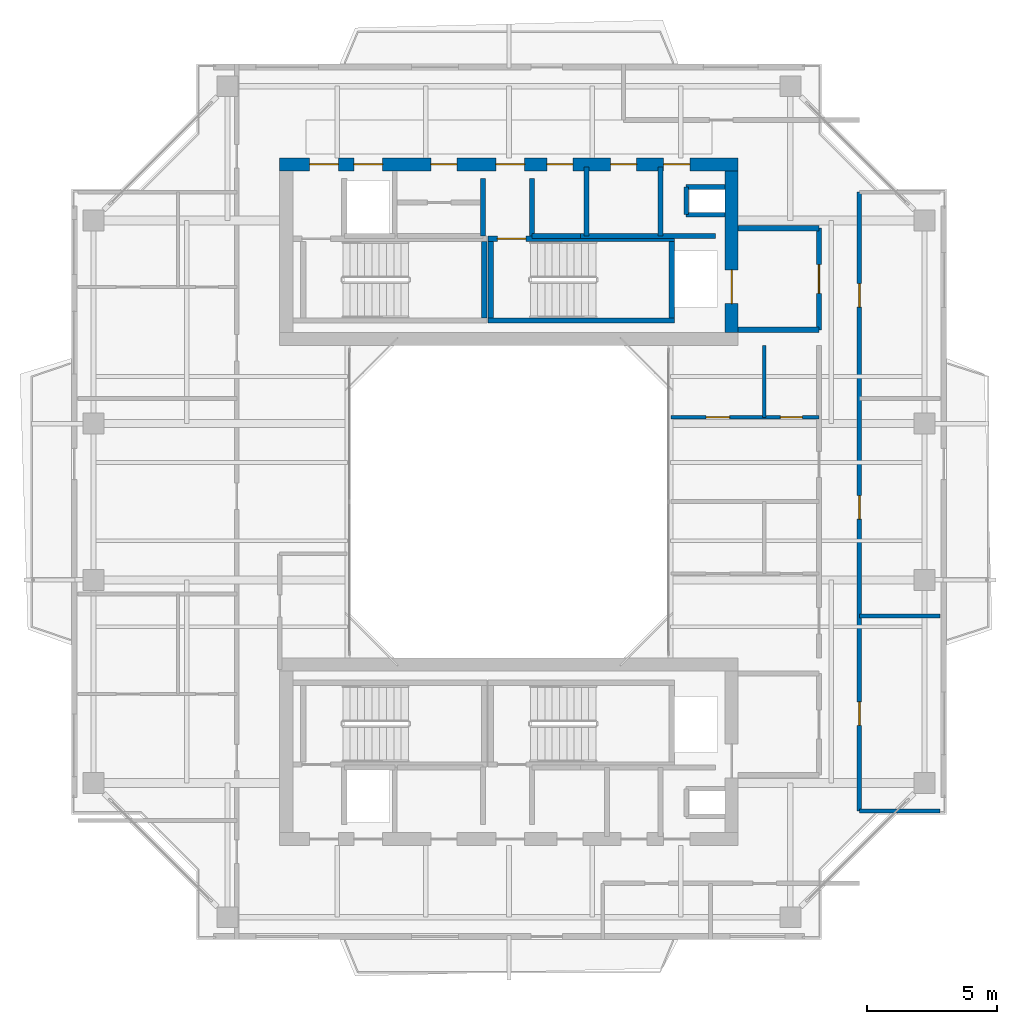
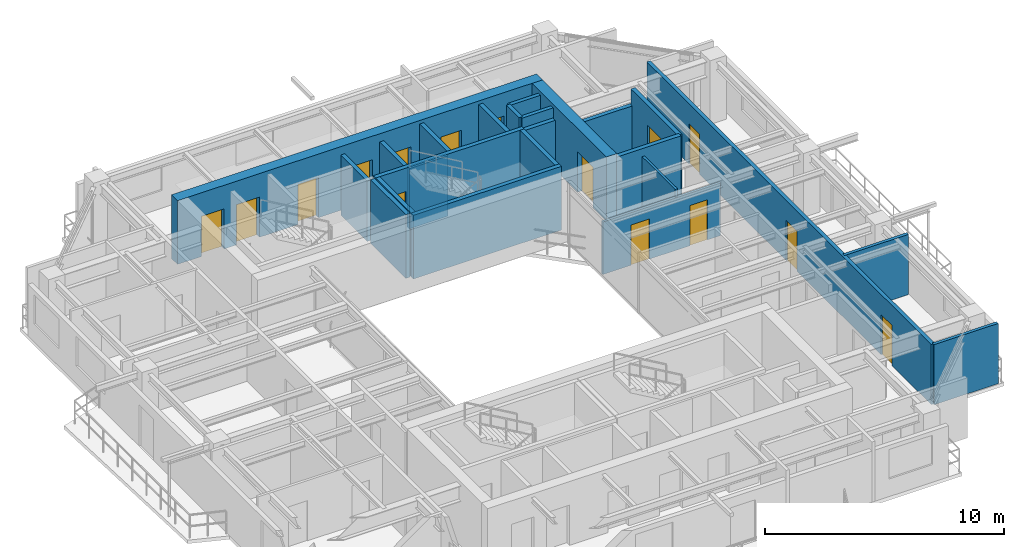
# One storey, part 12 of 15: 24 walls, 15 doors, 15 openings.
"""IFC4 building model written with IfcOpenShell, lengths in metres."""

import ifcopenshell
import ifcopenshell.guid

model = None  # the IFC model being written
_history = None  # IfcOwnerHistory: only IFC2X3 demands one
_inside = {}  # id of a spatial element -> (the spatial element, [elements in it])
_under = {}  # id of a project, library or spatial element -> (it, [spatial elements below it])
_declared = {}  # id of a project -> (the project, [libraries it declares])
_typed = {}  # id of a type object -> (the type object, [elements of that type])
_made_of = {}  # id of a material, layer set ... -> (it, [elements and type objects made of it])


def new_model(schema):
    """Start an empty IFC model of exactly this schema.

    Asked for "IFC4X3", IfcOpenShell would pick the latest addendum, in which some entities
    have other attributes; the version numbers below select the first issue.
    IFC2X3 requires an IfcOwnerHistory on every rooted entity: one is made here for all.
    """
    global model, _history
    if schema == "IFC4X3":
        model = ifcopenshell.file(schema_version=(4, 3, 0, 0))
    else:
        model = ifcopenshell.file(schema=schema)
    _inside.clear()
    _under.clear()
    _declared.clear()
    _typed.clear()
    _made_of.clear()
    _history = None
    if model.schema == "IFC2X3":
        org = make("IfcOrganization", Name="unknown")
        user = make(
            "IfcPersonAndOrganization",
            ThePerson=make("IfcPerson", FamilyName="unknown"),
            TheOrganization=org,
        )
        app = make(
            "IfcApplication",
            ApplicationDeveloper=org,
            Version="unknown",
            ApplicationFullName="unknown",
            ApplicationIdentifier="unknown",
        )
        _history = make(
            "IfcOwnerHistory",
            OwningUser=user,
            OwningApplication=app,
            ChangeAction="ADDED",
            CreationDate=0,
        )
    return model


def make(cls, **values):
    """One entity of the class cls with the attributes given. An attribute that is None is left unset."""
    return model.create_entity(
        cls, **{name: value for name, value in values.items() if value is not None}
    )


def rooted(cls, **values):
    """An entity with a GlobalId (a new one), such as an element, a storey or a relation."""
    return make(cls, GlobalId=ifcopenshell.guid.new(), OwnerHistory=_history, **values)


def si_unit(unit_type, name, prefix=None):
    """IfcSIUnit, for example si_unit("LENGTHUNIT", "METRE", prefix="MILLI")."""
    return make("IfcSIUnit", UnitType=unit_type, Prefix=prefix, Name=name)


def assignment(units):
    """IfcUnitAssignment: the units of a project."""
    return None if units is None else make("IfcUnitAssignment", Units=units)


def point(xyz):
    """IfcCartesianPoint."""
    return None if xyz is None else make("IfcCartesianPoint", Coordinates=xyz)


def direction(xyz):
    """IfcDirection."""
    return None if xyz is None else make("IfcDirection", DirectionRatios=xyz)


def frame(location, z_axis=None, x_axis=None):
    """IfcAxis2Placement3D, a coordinate frame: its origin and axes. An axis left out is left unset."""
    return make(
        "IfcAxis2Placement3D",
        Location=point(location),
        Axis=direction(z_axis),
        RefDirection=direction(x_axis),
    )


def frame_2d(location, x_axis=None):
    """IfcAxis2Placement2D, a coordinate frame in the plane: its origin and x axis."""
    return make(
        "IfcAxis2Placement2D", Location=point(location), RefDirection=direction(x_axis)
    )


def origin():
    """The frame at (0, 0, 0) with its axes left unset."""
    return frame((0.0, 0.0, 0.0))


def place(relative_to, where):
    """IfcLocalPlacement: puts the frame where relative to a parent placement (None: the world)."""
    return make(
        "IfcLocalPlacement", PlacementRelTo=relative_to, RelativePlacement=where
    )


def context(
    kind, dimensions, precision=None, world=None, true_north=None, identifier=None
):
    """IfcGeometricRepresentationContext, for example the 3D "Model" context."""
    return make(
        "IfcGeometricRepresentationContext",
        ContextIdentifier=identifier,
        ContextType=kind,
        CoordinateSpaceDimension=dimensions,
        Precision=precision,
        WorldCoordinateSystem=world,
        TrueNorth=true_north,
    )


def subcontext(parent, identifier, kind, view, scale=None):
    """IfcGeometricRepresentationSubContext, for example "Body" below "Model"."""
    return make(
        "IfcGeometricRepresentationSubContext",
        ContextIdentifier=identifier,
        ContextType=kind,
        ParentContext=parent,
        TargetScale=scale,
        TargetView=view,
    )


def project(units=None, contexts=None):
    """IfcProject with its units and contexts."""
    return rooted(
        "IfcProject",
        Name="project",
        RepresentationContexts=contexts,
        UnitsInContext=assignment(units),
    )


def spatial(cls, under=None, at=None, **own):
    """A site, building, storey or space (cls), placed at a placement, below another one or the project."""
    s = rooted(cls, ObjectPlacement=at, **own)
    if under is not None:
        _under.setdefault(under.id(), (under, []))[1].append(s)
    return s


def profile(cls, at=None, kind="AREA", **sizes):
    """A parametric profile (cls). Its sizes go by their IFC names, for example OverallWidth=200.0."""
    return make(cls, ProfileType=kind, Position=at, **sizes)


def rectangle(**sizes):
    """IfcRectangleProfileDef."""
    return profile("IfcRectangleProfileDef", **sizes)


def extrude(swept, where, along, depth):
    """IfcExtrudedAreaSolid: the profile swept, set in the frame where, extruded along a direction by depth."""
    return make(
        "IfcExtrudedAreaSolid",
        SweptArea=swept,
        Position=where,
        ExtrudedDirection=direction(along),
        Depth=depth,
    )


def shape(context_of_items, identifier, shape_type, items):
    """IfcShapeRepresentation: the items that make up one representation, for example the "Body"."""
    return make(
        "IfcShapeRepresentation",
        ContextOfItems=context_of_items,
        RepresentationIdentifier=identifier,
        RepresentationType=shape_type,
        Items=items,
    )


def source(mapping_origin, context_of_items, identifier, shape_type, items):
    """IfcRepresentationMap: a shape defined once, which mapped items show again and again."""
    return make(
        "IfcRepresentationMap",
        MappingOrigin=mapping_origin,
        MappedRepresentation=shape(context_of_items, identifier, shape_type, items),
    )


def transform(
    local_origin,
    x_axis=None,
    y_axis=None,
    z_axis=None,
    scale=None,
    scale2=None,
    scale3=None,
    uniform=True,
):
    """IfcCartesianTransformationOperator3D, or its non-uniform kind. x_axis, y_axis, z_axis: its Axis1, 2, 3."""
    if uniform:
        return make(
            "IfcCartesianTransformationOperator3D",
            Axis1=direction(x_axis),
            Axis2=direction(y_axis),
            LocalOrigin=point(local_origin),
            Scale=scale,
            Axis3=direction(z_axis),
        )
    return make(
        "IfcCartesianTransformationOperator3DnonUniform",
        Axis1=direction(x_axis),
        Axis2=direction(y_axis),
        LocalOrigin=point(local_origin),
        Scale=scale,
        Axis3=direction(z_axis),
        Scale2=scale2,
        Scale3=scale3,
    )


def mapped(mapping_source, mapping_target):
    """IfcMappedItem: shows the shape of a source again, moved by a transform."""
    return make(
        "IfcMappedItem", MappingSource=mapping_source, MappingTarget=mapping_target
    )


def material(Name=None, Category=None):
    """IfcMaterial."""
    return make("IfcMaterial", Name=Name, Category=Category)


def layer(
    of_material, thickness, ventilated=None, Name=None, Category=None, Priority=None
):
    """IfcMaterialLayer: one layer of a wall or slab, of a material (None: an air gap)."""
    return make(
        "IfcMaterialLayer",
        Material=of_material,
        LayerThickness=thickness,
        IsVentilated=ventilated,
        Name=Name,
        Category=Category,
        Priority=Priority,
    )


def layer_set(layers, Name=None):
    """IfcMaterialLayerSet."""
    return make("IfcMaterialLayerSet", MaterialLayers=layers, LayerSetName=Name)


def made_of(thing, what):
    """Note that an element or type object is made of a material, layer set ...; save() writes the relation."""
    if what is not None:
        _made_of.setdefault(what.id(), (what, []))[1].append(thing)
    return thing


def type_object(cls, material=None, **own):
    """A type object (cls), such as IfcWallType, which elements share."""
    return made_of(rooted(cls, **own), material)


def element(
    cls,
    number,
    at=None,
    inside=None,
    cuts=None,
    type_object=None,
    material=None,
    context=None,
    identifier="Body",
    shape_type=None,
    held_by="IfcProductDefinitionShape",
    body=None,
    shapes=None,
    **own,
):
    """One element of the class cls, such as IfcWall. Its Tag is "e" and its number.

    at: its placement. inside: the storey or other place that contains it. cuts: it is an
    opening in that element (IfcRelVoidsElement). A single representation is given by context,
    identifier, shape_type and body (its items); several are given by shapes. held_by: the class
    of the entity that holds the representations. save() writes the other relations.
    """
    e = rooted(cls, Tag="e%d" % number, ObjectPlacement=at, **own)
    if body is not None:
        shapes = [shape(context, identifier, shape_type, body)]
    if shapes is not None:
        e.Representation = make(held_by, Representations=shapes)
    if inside is not None:
        _inside.setdefault(inside.id(), (inside, []))[1].append(e)
    if cuts is not None:
        rooted(
            "IfcRelVoidsElement", RelatingBuildingElement=cuts, RelatedOpeningElement=e
        )
    if type_object is not None:
        _typed.setdefault(type_object.id(), (type_object, []))[1].append(e)
    return made_of(e, material)


def fill(opening, filler):
    """IfcRelFillsElement: the door or window that sits in an opening."""
    return rooted(
        "IfcRelFillsElement",
        RelatingOpeningElement=opening,
        RelatedBuildingElement=filler,
    )


def aggregate(whole, parts):
    """IfcRelAggregates: a whole, such as a stair, and the parts it consists of."""
    return rooted("IfcRelAggregates", RelatingObject=whole, RelatedObjects=parts)


def save(model, path):
    """Write the relations noted so far, then the file.

    IfcRelAggregates (storeys below a building ...), IfcRelContainedInSpatialStructure (elements
    in a storey), IfcRelDefinesByType, IfcRelAssociatesMaterial and IfcRelDeclares: one each for
    every whole, place, type object, material and project.
    """
    for whole, parts in _under.values():
        aggregate(whole, parts)
    for where, things in _inside.values():
        rooted(
            "IfcRelContainedInSpatialStructure",
            RelatedElements=things,
            RelatingStructure=where,
        )
    for kind, things in _typed.values():
        rooted("IfcRelDefinesByType", RelatedObjects=things, RelatingType=kind)
    for what, things in _made_of.values():
        rooted("IfcRelAssociatesMaterial", RelatedObjects=things, RelatingMaterial=what)
    for by, libraries in _declared.values():
        rooted("IfcRelDeclares", RelatingContext=by, RelatedDefinitions=libraries)
    model.write(path)


model = new_model("IFC4")

# Units and contexts
model_context = context("Model", 3, precision=1e-05, world=origin(), true_north=direction((0.0, 1.0)))
body_context = subcontext(model_context, "Body", "Model", "MODEL_VIEW")
ifc_project = project(units=[si_unit("LENGTHUNIT", "METRE"), si_unit("AREAUNIT", "SQUARE_METRE"), si_unit("VOLUMEUNIT", "CUBIC_METRE"), si_unit("PLANEANGLEUNIT", "RADIAN"), si_unit("MASSUNIT", "GRAM", prefix="KILO"), si_unit("THERMODYNAMICTEMPERATUREUNIT", "KELVIN"), si_unit("POWERUNIT", "WATT")], contexts=[model_context])

# Site, building, storey
site_placement = place(None, origin())
site = spatial("IfcSite", under=ifc_project, at=site_placement, CompositionType="ELEMENT")
building_placement = place(site_placement, origin())
building = spatial("IfcBuilding", under=site, at=building_placement, Name="Qiaomeng Ring Towers", CompositionType="ELEMENT")
storey_placement = place(building_placement, frame((0.0, 0.0, 200.25)))
storey = spatial("IfcBuildingStorey", under=building, at=storey_placement, Name="L58", CompositionType="ELEMENT", Elevation=200.25)

# Walls
ifc_material_1 = material(Name="Autoclaved aerated concrete block", Category="concrete")
ifc_layer_1 = layer(ifc_material_1, 0.199951171875, Name="Autoclaved aerated concrete block")
ifc_layer_set_1 = layer_set([ifc_layer_1], Name="Autoclaved aerated concrete block")
wall_type_1 = type_object("IfcWallType", Name="ARC-WL-PW1", PredefinedType="PARTITIONING", material=ifc_layer_set_1)
wall_1_placement = place(storey_placement, frame((27.800048828125, 29.60009765625, 0.0), z_axis=(0.0, 0.0, 1.0), x_axis=(1.0, 0.0, 0.0)))
element("IfcWall", 1, at=wall_1_placement, inside=storey, type_object=wall_type_1, Name="L58 Interior Wall PW1", PredefinedType="PARTITIONING", context=body_context, shape_type="SweptSolid", body=[
    extrude(rectangle(XDim=3.099853515625, YDim=0.199951171875, at=frame_2d((1.5498046875, 0.0))), origin(), (0.0, 0.0, 1.0), 3.070068359375),
])
wall_2_placement = place(storey_placement, frame((27.800048828125, 33.5, 0.0), z_axis=(0.0, 0.0, 1.0), x_axis=(1.0, 0.0, 0.0)))
element("IfcWall", 2, at=wall_2_placement, inside=storey, type_object=wall_type_1, Name="L58 Interior Wall PW1", PredefinedType="PARTITIONING", context=body_context, shape_type="SweptSolid", body=[
    extrude(rectangle(XDim=3.099853515625, YDim=0.199951171875, at=frame_2d((1.5498046875, 0.0))), origin(), (0.0, 0.0, 1.0), 2.264892578125),
])

# Wall, opening, door
wall_3_placement = place(storey_placement, frame((30.89990234375, 29.60009765625, 0.0), z_axis=(0.0, 0.0, 1.0), x_axis=(0.0, 1.0, 0.0)))
wall_3 = element("IfcWall", 3, at=wall_3_placement, inside=storey, type_object=wall_type_1, Name="L58 Interior Wall PW1", PredefinedType="PARTITIONING", context=body_context, shape_type="SweptSolid", body=[
    extrude(rectangle(XDim=3.89990234375, YDim=0.199951171875, at=frame_2d((1.949951171875, 0.0))), origin(), (0.0, 0.0, 1.0), 3.070068359375),
])
opening_1_placement = place(wall_3_placement, frame((1.39990234375, 0.0, 0.0)))
opening_1 = element("IfcOpeningElement", 4, at=opening_1_placement, cuts=wall_3, Name="Opening FD3", PredefinedType="OPENING", context=body_context, shape_type="SweptSolid", body=[
    extrude(rectangle(XDim=1.10009765625, YDim=2.050048828125, at=frame_2d((0.550048828125, 1.02490234375))), frame((0.0, 0.10986328125, 0.0), z_axis=(0.0, -1.0, 0.0), x_axis=(1.0, 0.0, 0.0)), (0.0, 0.0, 1.0), 0.219970703125),
])
ifc_material_2 = material(Name="Galvanised steel", Category="steel")
door_type_1 = type_object("IfcDoorType", Name="ARC-DR-FD3", OperationType="NOTDEFINED", PredefinedType="DOOR", material=ifc_material_2)
shared_shape_1 = source(origin(), body_context, "Body", "SweptSolid", [
    extrude(rectangle(XDim=1.10009765625, YDim=2.050048828125, at=frame_2d((0.550048828125, 1.02490234375))), frame((0.0, 0.02490234375, 0.0), z_axis=(0.0, -1.0, 0.0), x_axis=(1.0, 0.0, 0.0)), (0.0, 0.0, 1.0), 0.050048828125),
])
door_1_placement = place(opening_1_placement, origin())
door_1 = element("IfcDoor", 5, at=door_1_placement, inside=storey, type_object=door_type_1, Name="L58 North FF Lobby Door", OperationType="SINGLE_SWING_RIGHT", OverallHeight=2.050048828125, OverallWidth=1.10009765625, PredefinedType="DOOR", context=body_context, shape_type="MappedRepresentation", body=[
    mapped(shared_shape_1, transform((0.0, 0.0, 0.0), x_axis=(1.0, 0.0, 0.0), y_axis=(0.0, 1.0, 0.0), z_axis=(0.0, 0.0, 1.0), scale=1.0)),
])
fill(opening_1, door_1)

# Walls
for number, where, z_axis, x_axis, name in (
    (6, (18.0, 33.18994140625, 0.0), (0.0, 0.0, 1.0), (0.0, 1.0, 0.0), "L58 Interior Wall PW1"),
    (7, (19.8798828125, 33.18994140625, 0.0), (0.0, 0.0, 1.0), (0.0, 1.0, 0.0), "L58 Interior Wall PW1"),
):
    element("IfcWall", number, at=place(storey_placement, frame(where, z_axis=z_axis, x_axis=x_axis)), inside=storey, type_object=wall_type_1, Name=name, PredefinedType="PARTITIONING", context=body_context, shape_type="SweptSolid", body=[
        extrude(rectangle(XDim=2.2099609375, YDim=0.199951171875, at=frame_2d((1.10498046875, 0.0))), origin(), (0.0, 0.0, 1.0), 3.070068359375),
    ])
wall_4_placement = place(storey_placement, frame((24.820068359375, 33.199951171875, 0.0), z_axis=(0.0, 0.0, 1.0), x_axis=(0.0, 1.0, 0.0)))
element("IfcWall", 8, at=wall_4_placement, inside=storey, type_object=wall_type_1, Name="L58 Interior Wall PW1", PredefinedType="PARTITIONING", context=body_context, shape_type="SweptSolid", body=[
    extrude(rectangle(XDim=2.650146484375, YDim=0.199951171875, at=frame_2d((1.3251953125, 0.0))), origin(), (0.0, 0.0, 1.0), 3.070068359375),
])
wall_5_placement = place(storey_placement, frame((19.8798828125, 33.199951171875, 0.0), z_axis=(0.0, 0.0, 1.0), x_axis=(1.0, 0.0, 0.0)))
element("IfcWall", 9, at=wall_5_placement, inside=storey, type_object=wall_type_1, Name="L58 Interior Wall PW1", PredefinedType="PARTITIONING", context=body_context, shape_type="SweptSolid", body=[
    extrude(rectangle(XDim=1.8701171875, YDim=0.199951171875, at=frame_2d((0.93505859375, 0.0))), origin(), (0.0, 0.0, 1.0), 3.070068359375),
])
wall_6_placement = place(storey_placement, frame((21.97998046875, 33.199951171875, 0.0), z_axis=(0.0, 0.0, 1.0), x_axis=(0.0, 1.0, 0.0)))
element("IfcWall", 10, at=wall_6_placement, inside=storey, type_object=wall_type_1, Name="L58 Interior Wall PW1", PredefinedType="PARTITIONING", context=body_context, shape_type="SweptSolid", body=[
    extrude(rectangle(XDim=2.650146484375, YDim=0.199951171875, at=frame_2d((1.3251953125, 0.0))), origin(), (0.0, 0.0, 1.0), 3.070068359375),
])
wall_7_placement = place(storey_placement, frame((21.75, 33.199951171875, 0.0), z_axis=(0.0, 0.0, 1.0), x_axis=(1.0, 0.0, 0.0)))
element("IfcWall", 11, at=wall_7_placement, inside=storey, type_object=wall_type_1, Name="L58 Interior Wall PW1", PredefinedType="PARTITIONING", context=body_context, shape_type="SweptSolid", body=[
    extrude(rectangle(XDim=5.169921875, YDim=0.199951171875, at=frame_2d((2.5849609375, 0.0))), origin(), (0.0, 0.0, 1.0), 3.070068359375),
])

# Wall, openings, doors
ifc_layer_2 = layer(ifc_material_1, 0.179931640625, Name="Autoclaved aerated concrete block")
ifc_layer_set_2 = layer_set([ifc_layer_2], Name="Autoclaved aerated concrete block")
wall_type_2 = type_object("IfcWallType", Name="ARC-WL-PW2", PredefinedType="PARTITIONING", material=ifc_layer_set_2)
wall_8_placement = place(storey_placement, frame((32.449951171875, 11.1201171875, 0.0), z_axis=(0.0, 0.0, 1.0), x_axis=(0.0, 1.0, 0.0)))
wall_8 = element("IfcWall", 12, at=wall_8_placement, inside=storey, type_object=wall_type_2, Name="L58 Interior Wall PW2", PredefinedType="PARTITIONING", context=body_context, shape_type="SweptSolid", body=[
    extrude(rectangle(XDim=23.759765625, YDim=0.179931640625, at=frame_2d((11.8798828125, 0.0))), origin(), (0.0, 0.0, 1.0), 3.070068359375),
])
opening_2_placement = place(wall_8_placement, frame((3.294921875, 0.0, 0.0)))
opening_2 = element("IfcOpeningElement", 13, at=opening_2_placement, cuts=wall_8, Name="Opening ID1", PredefinedType="OPENING", context=body_context, shape_type="SweptSolid", body=[
    extrude(rectangle(XDim=0.89990234375, YDim=2.050048828125, at=frame_2d((0.449951171875, 1.02490234375))), frame((0.0, 0.099853515625, 0.0), z_axis=(0.0, -1.0, 0.0), x_axis=(1.0, 0.0, 0.0)), (0.0, 0.0, 1.0), 0.199951171875),
])
opening_3_placement = place(wall_8_placement, frame((11.215087890625, 0.0, 0.0)))
opening_3 = element("IfcOpeningElement", 14, at=opening_3_placement, cuts=wall_8, Name="Opening ID1", PredefinedType="OPENING", context=body_context, shape_type="SweptSolid", body=[
    extrude(rectangle(XDim=0.89990234375, YDim=2.050048828125, at=frame_2d((0.449951171875, 1.02490234375))), frame((0.0, 0.099853515625, 0.0), z_axis=(0.0, -1.0, 0.0), x_axis=(1.0, 0.0, 0.0)), (0.0, 0.0, 1.0), 0.199951171875),
])
opening_4_placement = place(wall_8_placement, frame((19.35009765625, 0.0, 0.0)))
opening_4 = element("IfcOpeningElement", 15, at=opening_4_placement, cuts=wall_8, Name="Opening ID1", PredefinedType="OPENING", context=body_context, shape_type="SweptSolid", body=[
    extrude(rectangle(XDim=0.89990234375, YDim=2.050048828125, at=frame_2d((0.449951171875, 1.02490234375))), frame((0.0, 0.099853515625, 0.0), z_axis=(0.0, -1.0, 0.0), x_axis=(1.0, 0.0, 0.0)), (0.0, 0.0, 1.0), 0.199951171875),
])
ifc_material_3 = material(Name="Engineered oak timber", Category="wood")
door_type_2 = type_object("IfcDoorType", Name="ARC-DR-ID1", OperationType="NOTDEFINED", PredefinedType="DOOR", material=ifc_material_3)
shared_shape_2 = source(origin(), body_context, "Body", "SweptSolid", [
    extrude(rectangle(XDim=0.89990234375, YDim=2.050048828125, at=frame_2d((0.449951171875, 1.02490234375))), frame((0.0, 0.02490234375, 0.0), z_axis=(0.0, -1.0, 0.0), x_axis=(1.0, 0.0, 0.0)), (0.0, 0.0, 1.0), 0.050048828125),
])
door_2_placement = place(opening_2_placement, origin())
door_2 = element("IfcDoor", 16, at=door_2_placement, inside=storey, type_object=door_type_2, Name="L58 Door ID1", OperationType="SINGLE_SWING_RIGHT", OverallHeight=2.050048828125, OverallWidth=0.89990234375, PredefinedType="DOOR", context=body_context, shape_type="MappedRepresentation", body=[
    mapped(shared_shape_2, transform((0.0, 0.0, 0.0), x_axis=(1.0, 0.0, 0.0), y_axis=(0.0, 1.0, 0.0), z_axis=(0.0, 0.0, 1.0), scale=1.0)),
])
fill(opening_2, door_2)
door_3_placement = place(opening_3_placement, origin())
door_3 = element("IfcDoor", 17, at=door_3_placement, inside=storey, type_object=door_type_2, Name="L58 Door ID1", OperationType="SINGLE_SWING_LEFT", OverallHeight=2.050048828125, OverallWidth=0.89990234375, PredefinedType="DOOR", context=body_context, shape_type="MappedRepresentation", body=[
    mapped(shared_shape_2, transform((0.0, 0.0, 0.0), x_axis=(1.0, 0.0, 0.0), y_axis=(0.0, 1.0, 0.0), z_axis=(0.0, 0.0, 1.0), scale=1.0)),
])
fill(opening_3, door_3)
door_4_placement = place(opening_4_placement, origin())
door_4 = element("IfcDoor", 18, at=door_4_placement, inside=storey, type_object=door_type_2, Name="L58 Door ID1", OperationType="SINGLE_SWING_RIGHT", OverallHeight=2.050048828125, OverallWidth=0.89990234375, PredefinedType="DOOR", context=body_context, shape_type="MappedRepresentation", body=[
    mapped(shared_shape_2, transform((0.0, 0.0, 0.0), x_axis=(1.0, 0.0, 0.0), y_axis=(0.0, 1.0, 0.0), z_axis=(0.0, 0.0, 1.0), scale=1.0)),
])
fill(opening_4, door_4)

# Walls
ifc_material_4 = material(Name="Gypsum fireboard steel-stud partition", Category="steel")
ifc_layer_3 = layer(ifc_material_4, 0.14990234375, Name="Gypsum fireboard steel-stud partition")
ifc_layer_set_3 = layer_set([ifc_layer_3], Name="Gypsum fireboard steel-stud partition")
wall_type_3 = type_object("IfcWallType", Name="ARC-WL-PW3", PredefinedType="PARTITIONING", material=ifc_layer_set_3)
for number, where, z_axis, x_axis, name in (
    (19, (32.449951171875, 11.1201171875, 0.0), (0.0, 0.0, 1.0), (1.0, 0.0, 0.0), "L58 Interior Wall PW3"),
    (20, (32.449951171875, 18.610107421875, 0.0), (0.0, 0.0, 1.0), (1.0, 0.0, 0.0), "L58 Interior Wall PW3"),
):
    element("IfcWall", number, at=place(storey_placement, frame(where, z_axis=z_axis, x_axis=x_axis)), inside=storey, type_object=wall_type_3, Name=name, PredefinedType="PARTITIONING", context=body_context, shape_type="SweptSolid", body=[
        extrude(rectangle(XDim=3.10009765625, YDim=0.14990234375, at=frame_2d((1.550048828125, 0.0))), origin(), (0.0, 0.0, 1.0), 3.070068359375),
    ])

# Wall, openings, doors
ifc_material_5 = material(Name="Moisture-resistant gypsum steel-stud partition", Category="steel")
ifc_layer_4 = layer(ifc_material_5, 0.1201171875, Name="Moisture-resistant gypsum steel-stud partition")
ifc_layer_set_4 = layer_set([ifc_layer_4], Name="Moisture-resistant gypsum steel-stud partition")
wall_type_4 = type_object("IfcWallType", Name="ARC-WL-PW4", PredefinedType="PLUMBINGWALL", material=ifc_layer_set_4)
wall_9_placement = place(storey_placement, frame((25.219970703125, 26.239990234375, 0.0), z_axis=(0.0, 0.0, 1.0), x_axis=(1.0, 0.0, 0.0)))
wall_9 = element("IfcWall", 21, at=wall_9_placement, inside=storey, type_object=wall_type_4, Name="L58 Interior Wall PW4", PredefinedType="PLUMBINGWALL", context=body_context, shape_type="SweptSolid", body=[
    extrude(rectangle(XDim=5.679931640625, YDim=0.1201171875, at=frame_2d((2.83984375, 0.0))), origin(), (0.0, 0.0, 1.0), 2.675048828125),
])
opening_5_placement = place(wall_9_placement, frame((1.35009765625, 0.0, 0.0)))
opening_5 = element("IfcOpeningElement", 22, at=opening_5_placement, cuts=wall_9, Name="Opening ID1", PredefinedType="OPENING", context=body_context, shape_type="SweptSolid", body=[
    extrude(rectangle(XDim=0.89990234375, YDim=2.050048828125, at=frame_2d((0.449951171875, 1.02490234375))), frame((0.0, 0.070068359375, 0.0), z_axis=(0.0, -1.0, 0.0), x_axis=(1.0, 0.0, 0.0)), (0.0, 0.0, 1.0), 0.14013671875),
])
opening_6_placement = place(wall_9_placement, frame((4.195068359375, 0.0, 0.0)))
opening_6 = element("IfcOpeningElement", 23, at=opening_6_placement, cuts=wall_9, Name="Opening ID2", PredefinedType="OPENING", context=body_context, shape_type="SweptSolid", body=[
    extrude(rectangle(XDim=0.85009765625, YDim=2.050048828125, at=frame_2d((0.425048828125, 1.02490234375))), frame((0.0, 0.070068359375, 0.0), z_axis=(0.0, -1.0, 0.0), x_axis=(1.0, 0.0, 0.0)), (0.0, 0.0, 1.0), 0.14013671875),
])
ifc_material_6 = material(Name="Moisture-resistant engineered timber", Category="wood")
door_type_3 = type_object("IfcDoorType", Name="ARC-DR-ID2", OperationType="NOTDEFINED", PredefinedType="DOOR", material=ifc_material_6)
shared_shape_3 = source(origin(), body_context, "Body", "SweptSolid", [
    extrude(rectangle(XDim=0.85009765625, YDim=2.050048828125, at=frame_2d((0.425048828125, 1.02490234375))), frame((0.0, 0.02490234375, 0.0), z_axis=(0.0, -1.0, 0.0), x_axis=(1.0, 0.0, 0.0)), (0.0, 0.0, 1.0), 0.050048828125),
])
door_5_placement = place(opening_6_placement, origin())
door_5 = element("IfcDoor", 24, at=door_5_placement, inside=storey, type_object=door_type_3, Name="L58 Door ID2", OperationType="SINGLE_SWING_RIGHT", OverallHeight=2.050048828125, OverallWidth=0.85009765625, PredefinedType="DOOR", context=body_context, shape_type="MappedRepresentation", body=[
    mapped(shared_shape_3, transform((0.0, 0.0, 0.0), x_axis=(1.0, 0.0, 0.0), y_axis=(0.0, 1.0, 0.0), z_axis=(0.0, 0.0, 1.0), scale=1.0)),
])
fill(opening_6, door_5)
door_6_placement = place(opening_5_placement, origin())
door_6 = element("IfcDoor", 25, at=door_6_placement, inside=storey, type_object=door_type_2, Name="L58 Door ID1", OperationType="SINGLE_SWING_LEFT", OverallHeight=2.050048828125, OverallWidth=0.89990234375, PredefinedType="DOOR", context=body_context, shape_type="MappedRepresentation", body=[
    mapped(shared_shape_2, transform((0.0, 0.0, 0.0), x_axis=(1.0, 0.0, 0.0), y_axis=(0.0, 1.0, 0.0), z_axis=(0.0, 0.0, 1.0), scale=1.0)),
])
fill(opening_5, door_6)

# Walls
wall_10_placement = place(storey_placement, frame((28.800048828125, 26.239990234375, 0.0), z_axis=(0.0, 0.0, 1.0), x_axis=(0.0, 1.0, 0.0)))
element("IfcWall", 26, at=wall_10_placement, inside=storey, type_object=wall_type_4, Name="L58 Interior Wall PW4", PredefinedType="PLUMBINGWALL", context=body_context, shape_type="SweptSolid", body=[
    extrude(rectangle(XDim=2.760009765625, YDim=0.1201171875, at=frame_2d((1.3798828125, 0.0))), origin(), (0.0, 0.0, 1.0), 3.070068359375),
])
ifc_material_7 = material(Name="Concrete C40", Category="concrete")
ifc_layer_5 = layer(ifc_material_7, 0.199951171875, Name="Concrete C40")
ifc_layer_set_5 = layer_set([ifc_layer_5], Name="Concrete C40")
wall_type_5 = type_object("IfcWallType", Name="STR-WL-STSHAFT", PredefinedType="SHEAR", material=ifc_layer_set_5)
wall_11_placement = place(storey_placement, frame((25.800048828125, 34.02001953125, 0.0), z_axis=(0.0, 0.0, 1.0), x_axis=(0.0, 1.0, 0.0)))
element("IfcWall", 27, at=wall_11_placement, inside=storey, type_object=wall_type_5, Name="L58 Riser RSR1 West Shaft Wall N", PredefinedType="SHEAR", context=body_context, shape_type="SweptSolid", body=[
    extrude(rectangle(XDim=1.06005859375, YDim=0.179931640625, at=frame_2d((0.530029296875, 0.0))), origin(), (0.0, 0.0, 1.0), 3.070068359375),
])
for number, where, z_axis, x_axis, name in (
    (28, (25.800048828125, 35.080078125, 0.0), (0.0, 0.0, 1.0), (1.0, 0.0, 0.0), "L58 Riser RSR1 North Shaft Wall N"),
    (29, (25.800048828125, 34.02001953125, 0.0), (0.0, 0.0, 1.0), (1.0, 0.0, 0.0), "L58 Riser RSR1 South Shaft Wall N"),
):
    element("IfcWall", number, at=place(storey_placement, frame(where, z_axis=z_axis, x_axis=x_axis)), inside=storey, type_object=wall_type_5, Name=name, PredefinedType="SHEAR", context=body_context, shape_type="SweptSolid", body=[
        extrude(rectangle(XDim=1.5, YDim=0.179931640625, at=frame_2d((0.75, 0.0))), origin(), (0.0, 0.0, 1.0), 3.070068359375),
    ])
wall_12_placement = place(storey_placement, frame((18.050048828125, 30.050048828125, 0.0), z_axis=(0.0, 0.0, 1.0), x_axis=(0.0, 1.0, 0.0)))
element("IfcWall", 30, at=wall_12_placement, inside=storey, type_object=wall_type_5, Name="L58 Stair ST1 East Shaft Shear Wall", PredefinedType="SHEAR", context=body_context, shape_type="SweptSolid", body=[
    extrude(rectangle(XDim=2.93994140625, YDim=0.199951171875, at=frame_2d((1.469970703125, 0.0))), origin(), (0.0, 0.0, 1.0), 3.25),
])
wall_13_placement = place(storey_placement, frame((18.199951171875, 29.949951171875, 0.0), z_axis=(0.0, 0.0, 1.0), x_axis=(1.0, 0.0, 0.0)))
element("IfcWall", 31, at=wall_13_placement, inside=storey, type_object=wall_type_5, Name="L58 Stair ST2 South Shaft Shear Wall", PredefinedType="SHEAR", context=body_context, shape_type="SweptSolid", body=[
    extrude(rectangle(XDim=7.150146484375, YDim=0.199951171875, at=frame_2d((3.5751953125, 0.0))), origin(), (0.0, 0.0, 1.0), 3.25),
])

# Wall, opening, door
wall_14_placement = place(storey_placement, frame((18.199951171875, 33.090087890625, 0.0), z_axis=(0.0, 0.0, 1.0), x_axis=(1.0, 0.0, 0.0)))
wall_14 = element("IfcWall", 32, at=wall_14_placement, inside=storey, type_object=wall_type_5, Name="L58 Stair ST2 North Shaft Shear Wall", PredefinedType="SHEAR", context=body_context, shape_type="SweptSolid", body=[
    extrude(rectangle(XDim=7.150146484375, YDim=0.199951171875, at=frame_2d((3.5751953125, 0.0))), origin(), (0.0, 0.0, 1.0), 3.25),
])
opening_7_placement = place(wall_14_placement, frame((0.35009765625, 0.0, 0.0)))
opening_7 = element("IfcOpeningElement", 33, at=opening_7_placement, cuts=wall_14, Name="Opening FD3", PredefinedType="OPENING", context=body_context, shape_type="SweptSolid", body=[
    extrude(rectangle(XDim=1.10009765625, YDim=2.050048828125, at=frame_2d((0.550048828125, 1.02490234375))), frame((0.0, 0.10986328125, 0.0), z_axis=(0.0, -1.0, 0.0), x_axis=(1.0, 0.0, 0.0)), (0.0, 0.0, 1.0), 0.219970703125),
])
door_7_placement = place(opening_7_placement, origin())
door_7 = element("IfcDoor", 34, at=door_7_placement, inside=storey, type_object=door_type_1, Name="L58 Stair ST2 Exit Door", OperationType="SINGLE_SWING_LEFT", OverallHeight=2.050048828125, OverallWidth=1.10009765625, PredefinedType="DOOR", context=body_context, shape_type="MappedRepresentation", body=[
    mapped(shared_shape_1, transform((0.0, 0.0, 0.0), x_axis=(1.0, 0.0, 0.0), y_axis=(0.0, 1.0, 0.0), z_axis=(0.0, 0.0, 1.0), scale=1.0)),
])
fill(opening_7, door_7)

# Walls
for number, where, z_axis, x_axis, name in (
    (35, (18.300048828125, 30.050048828125, 0.0), (0.0, 0.0, 1.0), (0.0, 1.0, 0.0), "L58 Stair ST2 West Shaft Shear Wall"),
    (36, (25.25, 30.050048828125, 0.0), (0.0, 0.0, 1.0), (0.0, 1.0, 0.0), "L58 Stair ST2 East Shaft Shear Wall"),
):
    element("IfcWall", number, at=place(storey_placement, frame(where, z_axis=z_axis, x_axis=x_axis)), inside=storey, type_object=wall_type_5, Name=name, PredefinedType="SHEAR", context=body_context, shape_type="SweptSolid", body=[
        extrude(rectangle(XDim=2.93994140625, YDim=0.199951171875, at=frame_2d((1.469970703125, 0.0))), origin(), (0.0, 0.0, 1.0), 3.25),
    ])

# Wall, openings, doors
ifc_layer_6 = layer(ifc_material_7, 0.5, Name="Concrete C40")
ifc_layer_set_6 = layer_set([ifc_layer_6], Name="Concrete C40")
wall_type_6 = type_object("IfcWallType", Name="STR-WL-SW3", PredefinedType="SHEAR", material=ifc_layer_set_6)
wall_15_placement = place(storey_placement, frame((10.199951171875, 35.949951171875, 0.0), z_axis=(0.0, 0.0, 1.0), x_axis=(1.0, 0.0, 0.0)))
wall_15 = element("IfcWall", 37, at=wall_15_placement, inside=storey, type_object=wall_type_6, Name="L58 T1NC north core shear wall", PredefinedType="SHEAR", context=body_context, shape_type="SweptSolid", body=[
    extrude(rectangle(XDim=17.60009765625, YDim=0.5, at=frame_2d((8.800048828125, 0.0))), origin(), (0.0, 0.0, 1.0), 3.25),
])
opening_8_placement = place(wall_15_placement, frame((1.14990234375, 0.0, 0.0)))
opening_8 = element("IfcOpeningElement", 38, at=opening_8_placement, cuts=wall_15, Name="Opening FD3", PredefinedType="OPENING", context=body_context, shape_type="SweptSolid", body=[
    extrude(rectangle(XDim=1.10009765625, YDim=2.050048828125, at=frame_2d((0.550048828125, 1.02490234375))), frame((0.0, 0.260009765625, 0.0), z_axis=(0.0, -1.0, 0.0), x_axis=(1.0, 0.0, 0.0)), (0.0, 0.0, 1.0), 0.52001953125),
])
opening_9_placement = place(wall_15_placement, frame((8.300048828125, 0.0, 0.0)))
opening_9 = element("IfcOpeningElement", 39, at=opening_9_placement, cuts=wall_15, Name="Opening FD3", PredefinedType="OPENING", context=body_context, shape_type="SweptSolid", body=[
    extrude(rectangle(XDim=1.10009765625, YDim=2.050048828125, at=frame_2d((0.550048828125, 1.02490234375))), frame((0.0, 0.260009765625, 0.0), z_axis=(0.0, -1.0, 0.0), x_axis=(1.0, 0.0, 0.0)), (0.0, 0.0, 1.0), 0.52001953125),
])
opening_10_placement = place(wall_15_placement, frame((2.85009765625, 0.0, 0.0)))
opening_10 = element("IfcOpeningElement", 40, at=opening_10_placement, cuts=wall_15, Name="Opening LD1", PredefinedType="OPENING", context=body_context, shape_type="SweptSolid", body=[
    extrude(rectangle(XDim=1.10009765625, YDim=2.050048828125, at=frame_2d((0.550048828125, 1.02490234375))), frame((0.0, 0.260009765625, 0.0), z_axis=(0.0, -1.0, 0.0), x_axis=(1.0, 0.0, 0.0)), (0.0, 0.0, 1.0), 0.52001953125),
])
opening_11_placement = place(wall_15_placement, frame((5.800048828125, 0.0, 0.0)))
opening_11 = element("IfcOpeningElement", 41, at=opening_11_placement, cuts=wall_15, Name="Opening FD1", PredefinedType="OPENING", context=body_context, shape_type="SweptSolid", body=[
    extrude(rectangle(XDim=1.0, YDim=2.050048828125, at=frame_2d((0.5, 1.02490234375))), frame((0.0, 0.260009765625, 0.0), z_axis=(0.0, -1.0, 0.0), x_axis=(1.0, 0.0, 0.0)), (0.0, 0.0, 1.0), 0.52001953125),
])
opening_12_placement = place(wall_15_placement, frame((14.739990234375, 0.0, 0.0)))
opening_12 = element("IfcOpeningElement", 42, at=opening_12_placement, cuts=wall_15, Name="Opening FD1", PredefinedType="OPENING", context=body_context, shape_type="SweptSolid", body=[
    extrude(rectangle(XDim=1.0, YDim=2.050048828125, at=frame_2d((0.5, 1.02490234375))), frame((0.0, 0.260009765625, 0.0), z_axis=(0.0, -1.0, 0.0), x_axis=(1.0, 0.0, 0.0)), (0.0, 0.0, 1.0), 0.52001953125),
])
opening_13_placement = place(wall_15_placement, frame((10.25, 0.0, 0.0)))
opening_13 = element("IfcOpeningElement", 43, at=opening_13_placement, cuts=wall_15, Name="Opening FD1", PredefinedType="OPENING", context=body_context, shape_type="SweptSolid", body=[
    extrude(rectangle(XDim=1.0, YDim=2.050048828125, at=frame_2d((0.5, 1.02490234375))), frame((0.0, 0.260009765625, 0.0), z_axis=(0.0, -1.0, 0.0), x_axis=(1.0, 0.0, 0.0)), (0.0, 0.0, 1.0), 0.52001953125),
])
opening_14_placement = place(wall_15_placement, frame((12.699951171875, 0.0, 0.0)))
opening_14 = element("IfcOpeningElement", 44, at=opening_14_placement, cuts=wall_15, Name="Opening FD1", PredefinedType="OPENING", context=body_context, shape_type="SweptSolid", body=[
    extrude(rectangle(XDim=1.0, YDim=2.050048828125, at=frame_2d((0.5, 1.02490234375))), frame((0.0, 0.260009765625, 0.0), z_axis=(0.0, -1.0, 0.0), x_axis=(1.0, 0.0, 0.0)), (0.0, 0.0, 1.0), 0.52001953125),
])
door_8_placement = place(opening_8_placement, origin())
door_8 = element("IfcDoor", 45, at=door_8_placement, inside=storey, type_object=door_type_1, Name="L58 Stair ST1 Lobby Door", OperationType="SINGLE_SWING_RIGHT", OverallHeight=2.050048828125, OverallWidth=1.10009765625, PredefinedType="DOOR", context=body_context, shape_type="MappedRepresentation", body=[
    mapped(shared_shape_1, transform((0.0, 0.0, 0.0), x_axis=(1.0, 0.0, 0.0), y_axis=(0.0, 1.0, 0.0), z_axis=(0.0, 0.0, 1.0), scale=1.0)),
])
fill(opening_8, door_8)
door_9_placement = place(opening_9_placement, origin())
door_9 = element("IfcDoor", 46, at=door_9_placement, inside=storey, type_object=door_type_1, Name="L58 Stair ST2 Lobby Door", OperationType="SINGLE_SWING_RIGHT", OverallHeight=2.050048828125, OverallWidth=1.10009765625, PredefinedType="DOOR", context=body_context, shape_type="MappedRepresentation", body=[
    mapped(shared_shape_1, transform((0.0, 0.0, 0.0), x_axis=(1.0, 0.0, 0.0), y_axis=(0.0, 1.0, 0.0), z_axis=(0.0, 0.0, 1.0), scale=1.0)),
])
fill(opening_9, door_9)
ifc_material_8 = material(Name="Stainless steel 316", Category="steel")
door_type_4 = type_object("IfcDoorType", Name="ARC-DR-LD1", OperationType="NOTDEFINED", PredefinedType="DOOR", material=ifc_material_8)
door_10_placement = place(opening_10_placement, origin())
door_10 = element("IfcDoor", 47, at=door_10_placement, inside=storey, type_object=door_type_4, Name="L58 High-Zone Lift LP5 Landing Door", OperationType="SLIDING_TO_LEFT", OverallHeight=2.050048828125, OverallWidth=1.10009765625, PredefinedType="DOOR", context=body_context, shape_type="MappedRepresentation", body=[
    mapped(shared_shape_1, transform((0.0, 0.0, 0.0), x_axis=(1.0, 0.0, 0.0), y_axis=(0.0, 1.0, 0.0), z_axis=(0.0, 0.0, 1.0), scale=1.0)),
])
fill(opening_10, door_10)
door_type_5 = type_object("IfcDoorType", Name="ARC-DR-FD1", OperationType="NOTDEFINED", PredefinedType="DOOR", material=ifc_material_2)
shared_shape_4 = source(origin(), body_context, "Body", "SweptSolid", [
    extrude(rectangle(XDim=1.0, YDim=2.050048828125, at=frame_2d((0.5, 1.02490234375))), frame((0.0, 0.02490234375, 0.0), z_axis=(0.0, -1.0, 0.0), x_axis=(1.0, 0.0, 0.0)), (0.0, 0.0, 1.0), 0.050048828125),
])
door_11_placement = place(opening_11_placement, origin())
door_11 = element("IfcDoor", 48, at=door_11_placement, inside=storey, type_object=door_type_5, Name="L58 High-Zone Tea Pantry Door", OperationType="SINGLE_SWING_LEFT", OverallHeight=2.050048828125, OverallWidth=1.0, PredefinedType="DOOR", context=body_context, shape_type="MappedRepresentation", body=[
    mapped(shared_shape_4, transform((0.0, 0.0, 0.0), x_axis=(1.0, 0.0, 0.0), y_axis=(0.0, 1.0, 0.0), z_axis=(0.0, 0.0, 1.0), scale=1.0)),
])
fill(opening_11, door_11)
door_12_placement = place(opening_12_placement, origin())
door_12 = element("IfcDoor", 49, at=door_12_placement, inside=storey, type_object=door_type_5, Name="L58 North Electrical Riser Door", OperationType="SINGLE_SWING_LEFT", OverallHeight=2.050048828125, OverallWidth=1.0, PredefinedType="DOOR", context=body_context, shape_type="MappedRepresentation", body=[
    mapped(shared_shape_4, transform((0.0, 0.0, 0.0), x_axis=(1.0, 0.0, 0.0), y_axis=(0.0, 1.0, 0.0), z_axis=(0.0, 0.0, 1.0), scale=1.0)),
])
fill(opening_12, door_12)
door_13_placement = place(opening_13_placement, origin())
door_13 = element("IfcDoor", 50, at=door_13_placement, inside=storey, type_object=door_type_5, Name="L58 North Cleaners Store Door", OperationType="SINGLE_SWING_LEFT", OverallHeight=2.050048828125, OverallWidth=1.0, PredefinedType="DOOR", context=body_context, shape_type="MappedRepresentation", body=[
    mapped(shared_shape_4, transform((0.0, 0.0, 0.0), x_axis=(1.0, 0.0, 0.0), y_axis=(0.0, 1.0, 0.0), z_axis=(0.0, 0.0, 1.0), scale=1.0)),
])
fill(opening_13, door_13)
door_14_placement = place(opening_14_placement, origin())
door_14 = element("IfcDoor", 51, at=door_14_placement, inside=storey, type_object=door_type_5, Name="L58 North Facilities Management Office Door", OperationType="SINGLE_SWING_RIGHT", OverallHeight=2.050048828125, OverallWidth=1.0, PredefinedType="DOOR", context=body_context, shape_type="MappedRepresentation", body=[
    mapped(shared_shape_4, transform((0.0, 0.0, 0.0), x_axis=(1.0, 0.0, 0.0), y_axis=(0.0, 1.0, 0.0), z_axis=(0.0, 0.0, 1.0), scale=1.0)),
])
fill(opening_14, door_14)

# Wall, opening, door
wall_16_placement = place(storey_placement, frame((27.550048828125, 29.5, 0.0), z_axis=(0.0, 0.0, 1.0), x_axis=(0.0, 1.0, 0.0)))
wall_16 = element("IfcWall", 52, at=wall_16_placement, inside=storey, type_object=wall_type_6, Name="L58 T1NC east core shear wall", PredefinedType="SHEAR", context=body_context, shape_type="SweptSolid", body=[
    extrude(rectangle(XDim=6.199951171875, YDim=0.5, at=frame_2d((3.10009765625, 0.0))), origin(), (0.0, 0.0, 1.0), 3.25),
])
opening_15_placement = place(wall_16_placement, frame((1.10009765625, 0.0, 0.0)))
opening_15 = element("IfcOpeningElement", 53, at=opening_15_placement, cuts=wall_16, Name="Opening LD2", PredefinedType="OPENING", context=body_context, shape_type="SweptSolid", body=[
    extrude(rectangle(XDim=1.300048828125, YDim=2.050048828125, at=frame_2d((0.64990234375, 1.02490234375))), frame((0.0, 0.260009765625, 0.0), z_axis=(0.0, -1.0, 0.0), x_axis=(1.0, 0.0, 0.0)), (0.0, 0.0, 1.0), 0.52001953125),
])
door_type_6 = type_object("IfcDoorType", Name="ARC-DR-LD2", OperationType="NOTDEFINED", PredefinedType="DOOR", material=ifc_material_8)
shared_shape_5 = source(origin(), body_context, "Body", "SweptSolid", [
    extrude(rectangle(XDim=1.300048828125, YDim=2.050048828125, at=frame_2d((0.64990234375, 1.02490234375))), frame((0.0, 0.02490234375, 0.0), z_axis=(0.0, -1.0, 0.0), x_axis=(1.0, 0.0, 0.0)), (0.0, 0.0, 1.0), 0.050048828125),
])
door_15_placement = place(opening_15_placement, origin())
door_15 = element("IfcDoor", 54, at=door_15_placement, inside=storey, type_object=door_type_6, Name="L58 Firefighting Lift FL1 Landing Door", OperationType="SLIDING_TO_LEFT", OverallHeight=2.050048828125, OverallWidth=1.300048828125, PredefinedType="DOOR", context=body_context, shape_type="MappedRepresentation", body=[
    mapped(shared_shape_5, transform((0.0, 0.0, 0.0), x_axis=(1.0, 0.0, 0.0), y_axis=(0.0, 1.0, 0.0), z_axis=(0.0, 0.0, 1.0), scale=1.0)),
])
fill(opening_15, door_15)

save(model, "model.ifc")
